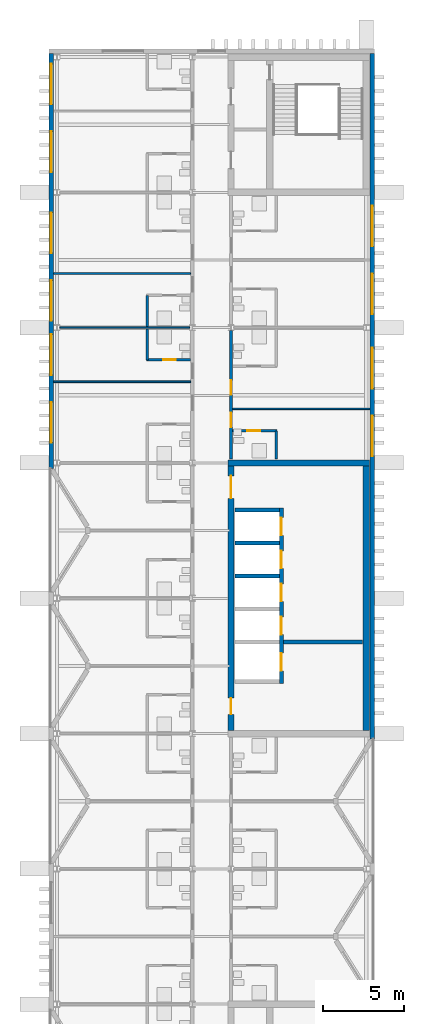
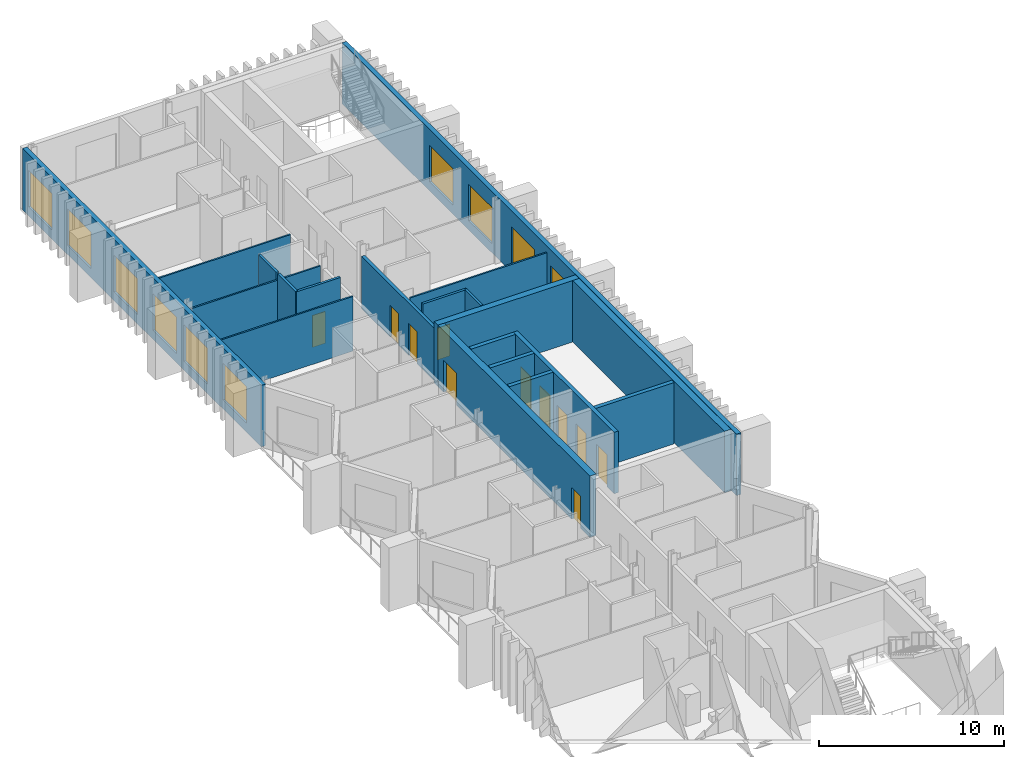
# One storey, part 7 of 11: 20 walls, 11 doors, 10 windows, 21 openings.
"""IFC4 building model written with IfcOpenShell, lengths in metres."""

import ifcopenshell
import ifcopenshell.guid

model = None  # the IFC model being written
_history = None  # IfcOwnerHistory: only IFC2X3 demands one
_inside = {}  # id of a spatial element -> (the spatial element, [elements in it])
_under = {}  # id of a project, library or spatial element -> (it, [spatial elements below it])
_declared = {}  # id of a project -> (the project, [libraries it declares])
_typed = {}  # id of a type object -> (the type object, [elements of that type])
_made_of = {}  # id of a material, layer set ... -> (it, [elements and type objects made of it])


def new_model(schema):
    """Start an empty IFC model of exactly this schema.

    Asked for "IFC4X3", IfcOpenShell would pick the latest addendum, in which some entities
    have other attributes; the version numbers below select the first issue.
    IFC2X3 requires an IfcOwnerHistory on every rooted entity: one is made here for all.
    """
    global model, _history
    if schema == "IFC4X3":
        model = ifcopenshell.file(schema_version=(4, 3, 0, 0))
    else:
        model = ifcopenshell.file(schema=schema)
    _inside.clear()
    _under.clear()
    _declared.clear()
    _typed.clear()
    _made_of.clear()
    _history = None
    if model.schema == "IFC2X3":
        org = make("IfcOrganization", Name="unknown")
        user = make(
            "IfcPersonAndOrganization",
            ThePerson=make("IfcPerson", FamilyName="unknown"),
            TheOrganization=org,
        )
        app = make(
            "IfcApplication",
            ApplicationDeveloper=org,
            Version="unknown",
            ApplicationFullName="unknown",
            ApplicationIdentifier="unknown",
        )
        _history = make(
            "IfcOwnerHistory",
            OwningUser=user,
            OwningApplication=app,
            ChangeAction="ADDED",
            CreationDate=0,
        )
    return model


def make(cls, **values):
    """One entity of the class cls with the attributes given. An attribute that is None is left unset."""
    return model.create_entity(
        cls, **{name: value for name, value in values.items() if value is not None}
    )


def rooted(cls, **values):
    """An entity with a GlobalId (a new one), such as an element, a storey or a relation."""
    return make(cls, GlobalId=ifcopenshell.guid.new(), OwnerHistory=_history, **values)


def si_unit(unit_type, name, prefix=None):
    """IfcSIUnit, for example si_unit("LENGTHUNIT", "METRE", prefix="MILLI")."""
    return make("IfcSIUnit", UnitType=unit_type, Prefix=prefix, Name=name)


def assignment(units):
    """IfcUnitAssignment: the units of a project."""
    return None if units is None else make("IfcUnitAssignment", Units=units)


def point(xyz):
    """IfcCartesianPoint."""
    return None if xyz is None else make("IfcCartesianPoint", Coordinates=xyz)


def direction(xyz):
    """IfcDirection."""
    return None if xyz is None else make("IfcDirection", DirectionRatios=xyz)


def frame(location, z_axis=None, x_axis=None):
    """IfcAxis2Placement3D, a coordinate frame: its origin and axes. An axis left out is left unset."""
    return make(
        "IfcAxis2Placement3D",
        Location=point(location),
        Axis=direction(z_axis),
        RefDirection=direction(x_axis),
    )


def frame_2d(location, x_axis=None):
    """IfcAxis2Placement2D, a coordinate frame in the plane: its origin and x axis."""
    return make(
        "IfcAxis2Placement2D", Location=point(location), RefDirection=direction(x_axis)
    )


def origin():
    """The frame at (0, 0, 0) with its axes left unset."""
    return frame((0.0, 0.0, 0.0))


def place(relative_to, where):
    """IfcLocalPlacement: puts the frame where relative to a parent placement (None: the world)."""
    return make(
        "IfcLocalPlacement", PlacementRelTo=relative_to, RelativePlacement=where
    )


def context(
    kind, dimensions, precision=None, world=None, true_north=None, identifier=None
):
    """IfcGeometricRepresentationContext, for example the 3D "Model" context."""
    return make(
        "IfcGeometricRepresentationContext",
        ContextIdentifier=identifier,
        ContextType=kind,
        CoordinateSpaceDimension=dimensions,
        Precision=precision,
        WorldCoordinateSystem=world,
        TrueNorth=true_north,
    )


def subcontext(parent, identifier, kind, view, scale=None):
    """IfcGeometricRepresentationSubContext, for example "Body" below "Model"."""
    return make(
        "IfcGeometricRepresentationSubContext",
        ContextIdentifier=identifier,
        ContextType=kind,
        ParentContext=parent,
        TargetScale=scale,
        TargetView=view,
    )


def project(units=None, contexts=None):
    """IfcProject with its units and contexts."""
    return rooted(
        "IfcProject",
        Name="project",
        RepresentationContexts=contexts,
        UnitsInContext=assignment(units),
    )


def spatial(cls, under=None, at=None, **own):
    """A site, building, storey or space (cls), placed at a placement, below another one or the project."""
    s = rooted(cls, ObjectPlacement=at, **own)
    if under is not None:
        _under.setdefault(under.id(), (under, []))[1].append(s)
    return s


def profile(cls, at=None, kind="AREA", **sizes):
    """A parametric profile (cls). Its sizes go by their IFC names, for example OverallWidth=200.0."""
    return make(cls, ProfileType=kind, Position=at, **sizes)


def rectangle(**sizes):
    """IfcRectangleProfileDef."""
    return profile("IfcRectangleProfileDef", **sizes)


def extrude(swept, where, along, depth):
    """IfcExtrudedAreaSolid: the profile swept, set in the frame where, extruded along a direction by depth."""
    return make(
        "IfcExtrudedAreaSolid",
        SweptArea=swept,
        Position=where,
        ExtrudedDirection=direction(along),
        Depth=depth,
    )


def shape(context_of_items, identifier, shape_type, items):
    """IfcShapeRepresentation: the items that make up one representation, for example the "Body"."""
    return make(
        "IfcShapeRepresentation",
        ContextOfItems=context_of_items,
        RepresentationIdentifier=identifier,
        RepresentationType=shape_type,
        Items=items,
    )


def material(Name=None, Category=None):
    """IfcMaterial."""
    return make("IfcMaterial", Name=Name, Category=Category)


def layer(
    of_material, thickness, ventilated=None, Name=None, Category=None, Priority=None
):
    """IfcMaterialLayer: one layer of a wall or slab, of a material (None: an air gap)."""
    return make(
        "IfcMaterialLayer",
        Material=of_material,
        LayerThickness=thickness,
        IsVentilated=ventilated,
        Name=Name,
        Category=Category,
        Priority=Priority,
    )


def layer_set(layers, Name=None):
    """IfcMaterialLayerSet."""
    return make("IfcMaterialLayerSet", MaterialLayers=layers, LayerSetName=Name)


def made_of(thing, what):
    """Note that an element or type object is made of a material, layer set ...; save() writes the relation."""
    if what is not None:
        _made_of.setdefault(what.id(), (what, []))[1].append(thing)
    return thing


def type_object(cls, material=None, **own):
    """A type object (cls), such as IfcWallType, which elements share."""
    return made_of(rooted(cls, **own), material)


def element(
    cls,
    number,
    at=None,
    inside=None,
    cuts=None,
    type_object=None,
    material=None,
    context=None,
    identifier="Body",
    shape_type=None,
    held_by="IfcProductDefinitionShape",
    body=None,
    shapes=None,
    **own,
):
    """One element of the class cls, such as IfcWall. Its Tag is "e" and its number.

    at: its placement. inside: the storey or other place that contains it. cuts: it is an
    opening in that element (IfcRelVoidsElement). A single representation is given by context,
    identifier, shape_type and body (its items); several are given by shapes. held_by: the class
    of the entity that holds the representations. save() writes the other relations.
    """
    e = rooted(cls, Tag="e%d" % number, ObjectPlacement=at, **own)
    if body is not None:
        shapes = [shape(context, identifier, shape_type, body)]
    if shapes is not None:
        e.Representation = make(held_by, Representations=shapes)
    if inside is not None:
        _inside.setdefault(inside.id(), (inside, []))[1].append(e)
    if cuts is not None:
        rooted(
            "IfcRelVoidsElement", RelatingBuildingElement=cuts, RelatedOpeningElement=e
        )
    if type_object is not None:
        _typed.setdefault(type_object.id(), (type_object, []))[1].append(e)
    return made_of(e, material)


def fill(opening, filler):
    """IfcRelFillsElement: the door or window that sits in an opening."""
    return rooted(
        "IfcRelFillsElement",
        RelatingOpeningElement=opening,
        RelatedBuildingElement=filler,
    )


def aggregate(whole, parts):
    """IfcRelAggregates: a whole, such as a stair, and the parts it consists of."""
    return rooted("IfcRelAggregates", RelatingObject=whole, RelatedObjects=parts)


def save(model, path):
    """Write the relations noted so far, then the file.

    IfcRelAggregates (storeys below a building ...), IfcRelContainedInSpatialStructure (elements
    in a storey), IfcRelDefinesByType, IfcRelAssociatesMaterial and IfcRelDeclares: one each for
    every whole, place, type object, material and project.
    """
    for whole, parts in _under.values():
        aggregate(whole, parts)
    for where, things in _inside.values():
        rooted(
            "IfcRelContainedInSpatialStructure",
            RelatedElements=things,
            RelatingStructure=where,
        )
    for kind, things in _typed.values():
        rooted("IfcRelDefinesByType", RelatedObjects=things, RelatingType=kind)
    for what, things in _made_of.values():
        rooted("IfcRelAssociatesMaterial", RelatedObjects=things, RelatingMaterial=what)
    for by, libraries in _declared.values():
        rooted("IfcRelDeclares", RelatingContext=by, RelatedDefinitions=libraries)
    model.write(path)


model = new_model("IFC4")

# Units and contexts
model_context = context("Model", 3, precision=1e-05, world=origin(), true_north=direction((0.0, 1.0)))
body_context = subcontext(model_context, "Body", "Model", "MODEL_VIEW")
ifc_project = project(units=[si_unit("LENGTHUNIT", "METRE"), si_unit("AREAUNIT", "SQUARE_METRE"), si_unit("VOLUMEUNIT", "CUBIC_METRE"), si_unit("PLANEANGLEUNIT", "RADIAN"), si_unit("MASSUNIT", "GRAM", prefix="KILO")], contexts=[model_context])

# Site, building, storey
site_placement = place(None, origin())
site = spatial("IfcSite", under=ifc_project, at=site_placement, CompositionType="ELEMENT")
building_placement = place(site_placement, origin())
building = spatial("IfcBuilding", under=site, at=building_placement, Name="Cresset Court Congress Hotel", CompositionType="ELEMENT")
storey_placement = place(building_placement, frame((0.0, 0.0, 48.0)))
storey = spatial("IfcBuildingStorey", under=building, at=storey_placement, Name="L11", CompositionType="ELEMENT", Elevation=48.0)

# Wall, openings, doors
ifc_material_1 = material(Name="Gypsum board partition")
ifc_layer_1 = layer(ifc_material_1, 0.199951171875)
ifc_layer_set_1 = layer_set([ifc_layer_1], Name="Corridor wall 200")
wall_type_1 = type_object("IfcWallType", Name="Corridor wall 200", PredefinedType="PARTITIONING", material=ifc_layer_set_1)
wall_1_placement = place(storey_placement, frame((168.0, 42.25, 0.0), z_axis=(0.0, 0.0, 1.0), x_axis=(0.0, 1.0, 0.0)))
wall_1 = element("IfcWall", 1, at=wall_1_placement, inside=storey, type_object=wall_type_1, Name="A.wl.L11.080", PredefinedType="PARTITIONING", context=body_context, shape_type="SweptSolid", body=[
    extrude(rectangle(XDim=7.97509765625, YDim=0.199951171875, at=frame_2d((3.987548828125, 0.0))), origin(), (0.0, 0.0, 1.0), 3.449951171875),
])
opening_1_placement = place(wall_1_placement, frame((1.97998046875, 0.0, 0.0)))
opening_1 = element("IfcOpeningElement", 2, at=opening_1_placement, cuts=wall_1, Name="Opening DA-11-42", PredefinedType="OPENING", context=body_context, shape_type="SweptSolid", body=[
    extrude(rectangle(XDim=0.89990234375, YDim=2.10009765625, at=frame_2d((0.449951171875, 1.050048828125))), frame((0.0, 0.10986328125, 0.0), z_axis=(0.0, -1.0, 0.0), x_axis=(1.0, 0.0, 0.0)), (0.0, 0.0, 1.0), 0.219970703125),
])
opening_2_placement = place(wall_1_placement, frame((3.97998046875, 0.0, 0.0)))
opening_2 = element("IfcOpeningElement", 3, at=opening_2_placement, cuts=wall_1, Name="Opening DA-11-44", PredefinedType="OPENING", context=body_context, shape_type="SweptSolid", body=[
    extrude(rectangle(XDim=0.89990234375, YDim=2.10009765625, at=frame_2d((0.449951171875, 1.050048828125))), frame((0.0, 0.10986328125, 0.0), z_axis=(0.0, -1.0, 0.0), x_axis=(1.0, 0.0, 0.0)), (0.0, 0.0, 1.0), 0.219970703125),
])
ifc_material_2 = material(Name="timber", Category="wood")
door_type_1 = type_object("IfcDoorType", Name="Guest-room entry door 900x2100 FD30S", OperationType="SINGLE_SWING_LEFT", PredefinedType="DOOR", material=ifc_material_2)
door_1_placement = place(opening_1_placement, origin())
door_1 = element("IfcDoor", 4, at=door_1_placement, inside=storey, type_object=door_type_1, Name="Door DA-11-42", OperationType="SINGLE_SWING_RIGHT", OverallHeight=2.10009765625, OverallWidth=0.89990234375, PredefinedType="DOOR", context=body_context, shape_type="SweptSolid", body=[
    extrude(rectangle(XDim=0.89990234375, YDim=2.10009765625, at=frame_2d((0.449951171875, 1.050048828125))), frame((0.0, 0.02490234375, 0.0), z_axis=(0.0, -1.0, 0.0), x_axis=(1.0, 0.0, 0.0)), (0.0, 0.0, 1.0), 0.050048828125),
])
fill(opening_1, door_1)
door_2_placement = place(opening_2_placement, origin())
door_2 = element("IfcDoor", 5, at=door_2_placement, inside=storey, type_object=door_type_1, Name="Door DA-11-44", OperationType="SINGLE_SWING_LEFT", OverallHeight=2.10009765625, OverallWidth=0.89990234375, PredefinedType="DOOR", context=body_context, shape_type="SweptSolid", body=[
    extrude(rectangle(XDim=0.89990234375, YDim=2.10009765625, at=frame_2d((0.449951171875, 1.050048828125))), frame((0.0, 0.02490234375, 0.0), z_axis=(0.0, -1.0, 0.0), x_axis=(1.0, 0.0, 0.0)), (0.0, 0.0, 1.0), 0.050048828125),
])
fill(opening_2, door_2)

# Wall
ifc_material_3 = material(Name="Gypsum board partition")
ifc_layer_2 = layer(ifc_material_3, 0.14990234375)
ifc_layer_set_2 = layer_set([ifc_layer_2], Name="En-suite wall 150")
wall_type_2 = type_object("IfcWallType", Name="En-suite wall 150", PredefinedType="PARTITIONING", material=ifc_layer_set_2)
wall_2_placement = place(storey_placement, frame((162.800048828125, 48.39990234375, 0.0), z_axis=(0.0, 0.0, 1.0), x_axis=(0.0, 1.0, 0.0)))
element("IfcWall", 6, at=wall_2_placement, inside=storey, type_object=wall_type_2, Name="A.wl.L11.023", PredefinedType="PARTITIONING", context=body_context, shape_type="SweptSolid", body=[
    extrude(rectangle(XDim=1.925048828125, YDim=0.14990234375, at=frame_2d((0.96240234375, 0.0))), origin(), (0.0, 0.0, 1.0), 4.050048828125),
])

# Wall, opening, door
wall_3_placement = place(storey_placement, frame((162.75, 48.39990234375, 0.0), z_axis=(0.0, 0.0, 1.0), x_axis=(1.0, 0.0, 0.0)))
wall_3 = element("IfcWall", 7, at=wall_3_placement, inside=storey, type_object=wall_type_2, Name="A.wl.L11.024", PredefinedType="PARTITIONING", context=body_context, shape_type="SweptSolid", body=[
    extrude(rectangle(XDim=2.75, YDim=0.14990234375, at=frame_2d((1.375, 0.0))), origin(), (0.0, 0.0, 1.0), 4.050048828125),
])
opening_3_placement = place(wall_3_placement, frame((1.030029296875, 0.0, 0.0)))
opening_3 = element("IfcOpeningElement", 8, at=opening_3_placement, cuts=wall_3, Name="Opening DA-11-23", PredefinedType="OPENING", context=body_context, shape_type="SweptSolid", body=[
    extrude(rectangle(XDim=0.800048828125, YDim=2.10009765625, at=frame_2d((0.39990234375, 1.050048828125))), frame((0.0, 0.0849609375, 0.0), z_axis=(0.0, -1.0, 0.0), x_axis=(1.0, 0.0, 0.0)), (0.0, 0.0, 1.0), 0.169921875),
])
ifc_material_4 = material(Name="timber", Category="wood")
door_type_2 = type_object("IfcDoorType", Name="En-suite door 800x2100", OperationType="SINGLE_SWING_LEFT", PredefinedType="DOOR", material=ifc_material_4)
door_3_placement = place(opening_3_placement, origin())
door_3 = element("IfcDoor", 9, at=door_3_placement, inside=storey, type_object=door_type_2, Name="Door DA-11-23", OperationType="SINGLE_SWING_LEFT", OverallHeight=2.10009765625, OverallWidth=0.800048828125, PredefinedType="DOOR", context=body_context, shape_type="SweptSolid", body=[
    extrude(rectangle(XDim=0.800048828125, YDim=2.10009765625, at=frame_2d((0.39990234375, 1.050048828125))), frame((0.0, 0.02490234375, 0.0), z_axis=(0.0, -1.0, 0.0), x_axis=(1.0, 0.0, 0.0)), (0.0, 0.0, 1.0), 0.050048828125),
])
fill(opening_3, door_3)

# Walls
wall_4_placement = place(storey_placement, frame((162.800048828125, 50.47509765625, 0.0), z_axis=(0.0, 0.0, 1.0), x_axis=(0.0, 1.0, 0.0)))
element("IfcWall", 10, at=wall_4_placement, inside=storey, type_object=wall_type_2, Name="A.wl.L11.025", PredefinedType="PARTITIONING", context=body_context, shape_type="SweptSolid", body=[
    extrude(rectangle(XDim=1.9248046875, YDim=0.14990234375, at=frame_2d((0.96240234375, 0.0))), origin(), (0.0, 0.0, 1.0), 4.050048828125),
])
wall_5_placement = place(storey_placement, frame((170.800048828125, 42.25, 0.0), z_axis=(0.0, 0.0, 1.0), x_axis=(0.0, 1.0, 0.0)))
element("IfcWall", 11, at=wall_5_placement, inside=storey, type_object=wall_type_2, Name="A.wl.L11.041", PredefinedType="PARTITIONING", context=body_context, shape_type="SweptSolid", body=[
    extrude(rectangle(XDim=1.75, YDim=0.14990234375, at=frame_2d((0.875, 0.0))), origin(), (0.0, 0.0, 1.0), 4.050048828125),
])

# Wall, opening, door
wall_6_placement = place(storey_placement, frame((170.85009765625, 44.0, 0.0), z_axis=(0.0, 0.0, 1.0), x_axis=(-1.0, 0.0, 0.0)))
wall_6 = element("IfcWall", 12, at=wall_6_placement, inside=storey, type_object=wall_type_2, Name="A.wl.L11.042", PredefinedType="PARTITIONING", context=body_context, shape_type="SweptSolid", body=[
    extrude(rectangle(XDim=2.75, YDim=0.14990234375, at=frame_2d((1.375, 0.0))), origin(), (0.0, 0.0, 1.0), 4.050048828125),
])
opening_4_placement = place(wall_6_placement, frame((1.030029296875, 0.0, 0.0)))
opening_4 = element("IfcOpeningElement", 13, at=opening_4_placement, cuts=wall_6, Name="Opening DA-11-41", PredefinedType="OPENING", context=body_context, shape_type="SweptSolid", body=[
    extrude(rectangle(XDim=0.800048828125, YDim=2.10009765625, at=frame_2d((0.39990234375, 1.050048828125))), frame((0.0, 0.0849609375, 0.0), z_axis=(0.0, -1.0, 0.0), x_axis=(1.0, 0.0, 0.0)), (0.0, 0.0, 1.0), 0.169921875),
])
door_4_placement = place(opening_4_placement, origin())
door_4 = element("IfcDoor", 14, at=door_4_placement, inside=storey, type_object=door_type_2, Name="Door DA-11-41", OperationType="SINGLE_SWING_RIGHT", OverallHeight=2.10009765625, OverallWidth=0.800048828125, PredefinedType="DOOR", context=body_context, shape_type="SweptSolid", body=[
    extrude(rectangle(XDim=0.800048828125, YDim=2.10009765625, at=frame_2d((0.39990234375, 1.050048828125))), frame((0.0, 0.02490234375, 0.0), z_axis=(0.0, -1.0, 0.0), x_axis=(1.0, 0.0, 0.0)), (0.0, 0.0, 1.0), 0.050048828125),
])
fill(opening_4, door_4)

# Wall, openings, windows
ifc_material_5 = material(Name="Precast concrete C50", Category="concrete")
ifc_layer_3 = layer(ifc_material_5, 0.280029296875)
ifc_layer_set_3 = layer_set([ifc_layer_3], Name="External wall 280")
wall_type_3 = type_object("IfcWallType", Name="External wall 280", PredefinedType="SOLIDWALL", material=ifc_layer_set_3)
wall_7_placement = place(storey_placement, frame((156.840087890625, 41.64990234375, 0.0), z_axis=(0.0, 0.0, 1.0), x_axis=(0.0, 1.0, 0.0)))
wall_7 = element("IfcWall", 15, at=wall_7_placement, inside=storey, type_object=wall_type_3, Name="A.ew.L11.W.5", PredefinedType="SOLIDWALL", context=body_context, shape_type="SweptSolid", body=[
    extrude(rectangle(XDim=25.77001953125, YDim=0.280029296875, at=frame_2d((12.885009765625, 0.0))), origin(), (0.0, 0.0, 1.0), 4.050048828125),
])
opening_5_placement = place(wall_7_placement, frame((1.610107421875, 0.0, 0.60009765625)))
opening_5 = element("IfcOpeningElement", 16, at=opening_5_placement, cuts=wall_7, Name="Opening NA-11-11", PredefinedType="OPENING", context=body_context, shape_type="SweptSolid", body=[
    extrude(rectangle(XDim=2.52001953125, YDim=2.39990234375, at=frame_2d((1.260009765625, 1.199951171875))), frame((0.0, 0.14990234375, 0.0), z_axis=(0.0, -1.0, 0.0), x_axis=(1.0, 0.0, 0.0)), (0.0, 0.0, 1.0), 0.300048828125),
])
opening_6_placement = place(wall_7_placement, frame((5.81005859375, 0.0, 0.60009765625)))
opening_6 = element("IfcOpeningElement", 17, at=opening_6_placement, cuts=wall_7, Name="Opening NA-11-12", PredefinedType="OPENING", context=body_context, shape_type="SweptSolid", body=[
    extrude(rectangle(XDim=2.52001953125, YDim=2.39990234375, at=frame_2d((1.260009765625, 1.199951171875))), frame((0.0, 0.14990234375, 0.0), z_axis=(0.0, -1.0, 0.0), x_axis=(1.0, 0.0, 0.0)), (0.0, 0.0, 1.0), 0.300048828125),
])
opening_7_placement = place(wall_7_placement, frame((9.169921875, 0.0, 0.60009765625)))
opening_7 = element("IfcOpeningElement", 18, at=opening_7_placement, cuts=wall_7, Name="Opening NA-11-13", PredefinedType="OPENING", context=body_context, shape_type="SweptSolid", body=[
    extrude(rectangle(XDim=2.52001953125, YDim=2.39990234375, at=frame_2d((1.260009765625, 1.199951171875))), frame((0.0, 0.14990234375, 0.0), z_axis=(0.0, -1.0, 0.0), x_axis=(1.0, 0.0, 0.0)), (0.0, 0.0, 1.0), 0.300048828125),
])
opening_8_placement = place(wall_7_placement, frame((13.3701171875, 0.0, 0.60009765625)))
opening_8 = element("IfcOpeningElement", 19, at=opening_8_placement, cuts=wall_7, Name="Opening NA-11-14", PredefinedType="OPENING", context=body_context, shape_type="SweptSolid", body=[
    extrude(rectangle(XDim=2.52001953125, YDim=2.39990234375, at=frame_2d((1.260009765625, 1.199951171875))), frame((0.0, 0.14990234375, 0.0), z_axis=(0.0, -1.0, 0.0), x_axis=(1.0, 0.0, 0.0)), (0.0, 0.0, 1.0), 0.300048828125),
])
opening_9_placement = place(wall_7_placement, frame((18.409912109375, 0.0, 0.60009765625)))
opening_9 = element("IfcOpeningElement", 20, at=opening_9_placement, cuts=wall_7, Name="Opening NA-11-15", PredefinedType="OPENING", context=body_context, shape_type="SweptSolid", body=[
    extrude(rectangle(XDim=2.52001953125, YDim=2.39990234375, at=frame_2d((1.260009765625, 1.199951171875))), frame((0.0, 0.14990234375, 0.0), z_axis=(0.0, -1.0, 0.0), x_axis=(1.0, 0.0, 0.0)), (0.0, 0.0, 1.0), 0.300048828125),
])
opening_10_placement = place(wall_7_placement, frame((22.610107421875, 0.0, 0.60009765625)))
opening_10 = element("IfcOpeningElement", 21, at=opening_10_placement, cuts=wall_7, Name="Opening NA-11-16", PredefinedType="OPENING", context=body_context, shape_type="SweptSolid", body=[
    extrude(rectangle(XDim=2.52001953125, YDim=2.39990234375, at=frame_2d((1.260009765625, 1.199951171875))), frame((0.0, 0.14990234375, 0.0), z_axis=(0.0, -1.0, 0.0), x_axis=(1.0, 0.0, 0.0)), (0.0, 0.0, 1.0), 0.300048828125),
])
ifc_material_6 = material(Name="Aluminium and glass", Category="aluminium")
window_type = type_object("IfcWindowType", Name="Window 2520x2400", PartitioningType="SINGLE_PANEL", PredefinedType="WINDOW", material=ifc_material_6)
window_1_placement = place(opening_5_placement, origin())
window_1 = element("IfcWindow", 22, at=window_1_placement, inside=storey, type_object=window_type, Name="Window NA-11-11", OverallHeight=2.39990234375, OverallWidth=2.52001953125, PartitioningType="SINGLE_PANEL", PredefinedType="WINDOW", context=body_context, shape_type="SweptSolid", body=[
    extrude(rectangle(XDim=2.52001953125, YDim=2.39990234375, at=frame_2d((1.260009765625, 1.199951171875))), frame((0.0, 0.030029296875, 0.0), z_axis=(0.0, -1.0, 0.0), x_axis=(1.0, 0.0, 0.0)), (0.0, 0.0, 1.0), 0.06005859375),
])
fill(opening_5, window_1)
window_2_placement = place(opening_6_placement, origin())
window_2 = element("IfcWindow", 23, at=window_2_placement, inside=storey, type_object=window_type, Name="Window NA-11-12", OverallHeight=2.39990234375, OverallWidth=2.52001953125, PartitioningType="SINGLE_PANEL", PredefinedType="WINDOW", context=body_context, shape_type="SweptSolid", body=[
    extrude(rectangle(XDim=2.52001953125, YDim=2.39990234375, at=frame_2d((1.260009765625, 1.199951171875))), frame((0.0, 0.030029296875, 0.0), z_axis=(0.0, -1.0, 0.0), x_axis=(1.0, 0.0, 0.0)), (0.0, 0.0, 1.0), 0.06005859375),
])
fill(opening_6, window_2)
window_3_placement = place(opening_7_placement, origin())
window_3 = element("IfcWindow", 24, at=window_3_placement, inside=storey, type_object=window_type, Name="Window NA-11-13", OverallHeight=2.39990234375, OverallWidth=2.52001953125, PartitioningType="SINGLE_PANEL", PredefinedType="WINDOW", context=body_context, shape_type="SweptSolid", body=[
    extrude(rectangle(XDim=2.52001953125, YDim=2.39990234375, at=frame_2d((1.260009765625, 1.199951171875))), frame((0.0, 0.030029296875, 0.0), z_axis=(0.0, -1.0, 0.0), x_axis=(1.0, 0.0, 0.0)), (0.0, 0.0, 1.0), 0.06005859375),
])
fill(opening_7, window_3)
window_4_placement = place(opening_8_placement, origin())
window_4 = element("IfcWindow", 25, at=window_4_placement, inside=storey, type_object=window_type, Name="Window NA-11-14", OverallHeight=2.39990234375, OverallWidth=2.52001953125, PartitioningType="SINGLE_PANEL", PredefinedType="WINDOW", context=body_context, shape_type="SweptSolid", body=[
    extrude(rectangle(XDim=2.52001953125, YDim=2.39990234375, at=frame_2d((1.260009765625, 1.199951171875))), frame((0.0, 0.030029296875, 0.0), z_axis=(0.0, -1.0, 0.0), x_axis=(1.0, 0.0, 0.0)), (0.0, 0.0, 1.0), 0.06005859375),
])
fill(opening_8, window_4)
window_5_placement = place(opening_9_placement, origin())
window_5 = element("IfcWindow", 26, at=window_5_placement, inside=storey, type_object=window_type, Name="Window NA-11-15", OverallHeight=2.39990234375, OverallWidth=2.52001953125, PartitioningType="SINGLE_PANEL", PredefinedType="WINDOW", context=body_context, shape_type="SweptSolid", body=[
    extrude(rectangle(XDim=2.52001953125, YDim=2.39990234375, at=frame_2d((1.260009765625, 1.199951171875))), frame((0.0, 0.030029296875, 0.0), z_axis=(0.0, -1.0, 0.0), x_axis=(1.0, 0.0, 0.0)), (0.0, 0.0, 1.0), 0.06005859375),
])
fill(opening_9, window_5)
window_6_placement = place(opening_10_placement, origin())
window_6 = element("IfcWindow", 27, at=window_6_placement, inside=storey, type_object=window_type, Name="Window NA-11-16", OverallHeight=2.39990234375, OverallWidth=2.52001953125, PartitioningType="SINGLE_PANEL", PredefinedType="WINDOW", context=body_context, shape_type="SweptSolid", body=[
    extrude(rectangle(XDim=2.52001953125, YDim=2.39990234375, at=frame_2d((1.260009765625, 1.199951171875))), frame((0.0, 0.030029296875, 0.0), z_axis=(0.0, -1.0, 0.0), x_axis=(1.0, 0.0, 0.0)), (0.0, 0.0, 1.0), 0.06005859375),
])
fill(opening_10, window_6)

wall_8_placement = place(storey_placement, frame((176.760009765625, 24.85009765625, 0.0), z_axis=(0.0, 0.0, 1.0), x_axis=(0.0, 1.0, 0.0)))
wall_8 = element("IfcWall", 28, at=wall_8_placement, inside=storey, type_object=wall_type_3, Name="A.ew.L11.E.3", PredefinedType="SOLIDWALL", context=body_context, shape_type="SweptSolid", body=[
    extrude(rectangle(XDim=42.56982421875, YDim=0.280029296875, at=frame_2d((21.284912109375, 0.0))), origin(), (0.0, 0.0, 1.0), 4.050048828125),
])
opening_11_placement = place(wall_8_placement, frame((17.570068359375, 0.0, 0.60009765625)))
opening_11 = element("IfcOpeningElement", 29, at=opening_11_placement, cuts=wall_8, Name="Opening NA-11-21", PredefinedType="OPENING", context=body_context, shape_type="SweptSolid", body=[
    extrude(rectangle(XDim=2.52001953125, YDim=2.39990234375, at=frame_2d((1.260009765625, 1.199951171875))), frame((0.0, 0.14990234375, 0.0), z_axis=(0.0, -1.0, 0.0), x_axis=(1.0, 0.0, 0.0)), (0.0, 0.0, 1.0), 0.300048828125),
])
opening_12_placement = place(wall_8_placement, frame((21.77001953125, 0.0, 0.60009765625)))
opening_12 = element("IfcOpeningElement", 30, at=opening_12_placement, cuts=wall_8, Name="Opening NA-11-22", PredefinedType="OPENING", context=body_context, shape_type="SweptSolid", body=[
    extrude(rectangle(XDim=2.52001953125, YDim=2.39990234375, at=frame_2d((1.260009765625, 1.199951171875))), frame((0.0, 0.14990234375, 0.0), z_axis=(0.0, -1.0, 0.0), x_axis=(1.0, 0.0, 0.0)), (0.0, 0.0, 1.0), 0.300048828125),
])
opening_13_placement = place(wall_8_placement, frame((26.389892578125, 0.0, 0.60009765625)))
opening_13 = element("IfcOpeningElement", 31, at=opening_13_placement, cuts=wall_8, Name="Opening NA-11-23", PredefinedType="OPENING", context=body_context, shape_type="SweptSolid", body=[
    extrude(rectangle(XDim=2.52001953125, YDim=2.39990234375, at=frame_2d((1.260009765625, 1.199951171875))), frame((0.0, 0.14990234375, 0.0), z_axis=(0.0, -1.0, 0.0), x_axis=(1.0, 0.0, 0.0)), (0.0, 0.0, 1.0), 0.300048828125),
])
opening_14_placement = place(wall_8_placement, frame((30.590087890625, 0.0, 0.60009765625)))
opening_14 = element("IfcOpeningElement", 32, at=opening_14_placement, cuts=wall_8, Name="Opening NA-11-24", PredefinedType="OPENING", context=body_context, shape_type="SweptSolid", body=[
    extrude(rectangle(XDim=2.52001953125, YDim=2.39990234375, at=frame_2d((1.260009765625, 1.199951171875))), frame((0.0, 0.14990234375, 0.0), z_axis=(0.0, -1.0, 0.0), x_axis=(1.0, 0.0, 0.0)), (0.0, 0.0, 1.0), 0.300048828125),
])
window_7_placement = place(opening_11_placement, origin())
window_7 = element("IfcWindow", 33, at=window_7_placement, inside=storey, type_object=window_type, Name="Window NA-11-21", OverallHeight=2.39990234375, OverallWidth=2.52001953125, PartitioningType="SINGLE_PANEL", PredefinedType="WINDOW", context=body_context, shape_type="SweptSolid", body=[
    extrude(rectangle(XDim=2.52001953125, YDim=2.39990234375, at=frame_2d((1.260009765625, 1.199951171875))), frame((0.0, 0.030029296875, 0.0), z_axis=(0.0, -1.0, 0.0), x_axis=(1.0, 0.0, 0.0)), (0.0, 0.0, 1.0), 0.06005859375),
])
fill(opening_11, window_7)
window_8_placement = place(opening_12_placement, origin())
window_8 = element("IfcWindow", 34, at=window_8_placement, inside=storey, type_object=window_type, Name="Window NA-11-22", OverallHeight=2.39990234375, OverallWidth=2.52001953125, PartitioningType="SINGLE_PANEL", PredefinedType="WINDOW", context=body_context, shape_type="SweptSolid", body=[
    extrude(rectangle(XDim=2.52001953125, YDim=2.39990234375, at=frame_2d((1.260009765625, 1.199951171875))), frame((0.0, 0.030029296875, 0.0), z_axis=(0.0, -1.0, 0.0), x_axis=(1.0, 0.0, 0.0)), (0.0, 0.0, 1.0), 0.06005859375),
])
fill(opening_12, window_8)
window_9_placement = place(opening_13_placement, origin())
window_9 = element("IfcWindow", 35, at=window_9_placement, inside=storey, type_object=window_type, Name="Window NA-11-23", OverallHeight=2.39990234375, OverallWidth=2.52001953125, PartitioningType="SINGLE_PANEL", PredefinedType="WINDOW", context=body_context, shape_type="SweptSolid", body=[
    extrude(rectangle(XDim=2.52001953125, YDim=2.39990234375, at=frame_2d((1.260009765625, 1.199951171875))), frame((0.0, 0.030029296875, 0.0), z_axis=(0.0, -1.0, 0.0), x_axis=(1.0, 0.0, 0.0)), (0.0, 0.0, 1.0), 0.06005859375),
])
fill(opening_13, window_9)
window_10_placement = place(opening_14_placement, origin())
window_10 = element("IfcWindow", 36, at=window_10_placement, inside=storey, type_object=window_type, Name="Window NA-11-24", OverallHeight=2.39990234375, OverallWidth=2.52001953125, PartitioningType="SINGLE_PANEL", PredefinedType="WINDOW", context=body_context, shape_type="SweptSolid", body=[
    extrude(rectangle(XDim=2.52001953125, YDim=2.39990234375, at=frame_2d((1.260009765625, 1.199951171875))), frame((0.0, 0.030029296875, 0.0), z_axis=(0.0, -1.0, 0.0), x_axis=(1.0, 0.0, 0.0)), (0.0, 0.0, 1.0), 0.06005859375),
])
fill(opening_14, window_10)

# Walls
ifc_material_7 = material(Name="Gypsum board partition")
ifc_layer_4 = layer(ifc_material_7, 0.10009765625)
ifc_layer_set_4 = layer_set([ifc_layer_4], Name="Guest-room partition 100")
wall_type_4 = type_object("IfcWallType", Name="Guest-room partition 100", PredefinedType="PARTITIONING", material=ifc_layer_set_4)
wall_9_placement = place(storey_placement, frame((157.375, 50.39990234375, 0.0), z_axis=(0.0, 0.0, 1.0), x_axis=(1.0, 0.0, 0.0)))
element("IfcWall", 37, at=wall_9_placement, inside=storey, type_object=wall_type_4, Name="A.wl.L11.054", PredefinedType="PARTITIONING", context=body_context, shape_type="SweptSolid", body=[
    extrude(rectangle(XDim=8.050048828125, YDim=0.10009765625, at=frame_2d((4.02490234375, 0.0))), origin(), (0.0, 0.0, 1.0), 3.60400390625),
])
for number, where, z_axis, x_axis, name in (
    (38, (156.97998046875, 47.0400390625, 0.0), (0.0, 0.0, 1.0), (1.0, 0.0, 0.0), "A.wl.L11.063"),
    (39, (156.97998046875, 53.760009765625, 0.0), (0.0, 0.0, 1.0), (1.0, 0.0, 0.0), "A.wl.L11.064"),
    (40, (168.10009765625, 45.360107421875, 0.0), (0.0, 0.0, 1.0), (1.0, 0.0, 0.0), "A.wl.L11.068"),
):
    element("IfcWall", number, at=place(storey_placement, frame(where, z_axis=z_axis, x_axis=x_axis)), inside=storey, type_object=wall_type_4, Name=name, PredefinedType="PARTITIONING", context=body_context, shape_type="SweptSolid", body=[
        extrude(rectangle(XDim=8.52001953125, YDim=0.10009765625, at=frame_2d((4.260009765625, 0.0))), origin(), (0.0, 0.0, 1.0), 3.60400390625),
    ])
ifc_material_8 = material(Name="Concrete C50", Category="concrete")
ifc_layer_5 = layer(ifc_material_8, 0.39990234375)
ifc_layer_set_5 = layer_set([ifc_layer_5], Name="Lift core wall 400")
wall_type_5 = type_object("IfcWallType", Name="Lift core wall 400", PredefinedType="SOLIDWALL", material=ifc_layer_set_5)
wall_10_placement = place(storey_placement, frame((167.800048828125, 42.0, 0.0), z_axis=(0.0, 0.0, 1.0), x_axis=(1.0, 0.0, 0.0)))
element("IfcWall", 41, at=wall_10_placement, inside=storey, type_object=wall_type_5, Name="A.cw.LC-A.L11.N", PredefinedType="SOLIDWALL", context=body_context, shape_type="SweptSolid", body=[
    extrude(rectangle(XDim=8.800048828125, YDim=0.39990234375, at=frame_2d((4.39990234375, 0.0))), origin(), (0.0, 0.0, 1.0), 4.050048828125),
])

# Wall, openings, doors
wall_11_placement = place(storey_placement, frame((168.0, 25.39990234375, 0.0), z_axis=(0.0, 0.0, 1.0), x_axis=(0.0, 1.0, 0.0)))
wall_11 = element("IfcWall", 42, at=wall_11_placement, inside=storey, type_object=wall_type_5, Name="A.cw.LC-A.L11.W", PredefinedType="SOLIDWALL", context=body_context, shape_type="SweptSolid", body=[
    extrude(rectangle(XDim=16.400146484375, YDim=0.39990234375, at=frame_2d((8.2001953125, 0.0))), origin(), (0.0, 0.0, 1.0), 4.050048828125),
])
opening_15_placement = place(wall_11_placement, frame((1.0, 0.0, 0.0)))
opening_15 = element("IfcOpeningElement", 43, at=opening_15_placement, cuts=wall_11, Name="Opening DA-11-60", PredefinedType="OPENING", context=body_context, shape_type="SweptSolid", body=[
    extrude(rectangle(XDim=1.0, YDim=2.10009765625, at=frame_2d((0.5, 1.050048828125))), frame((0.0, 0.2099609375, 0.0), z_axis=(0.0, -1.0, 0.0), x_axis=(1.0, 0.0, 0.0)), (0.0, 0.0, 1.0), 0.419921875),
])
opening_16_placement = place(wall_11_placement, frame((14.39990234375, 0.0, 0.0)))
opening_16 = element("IfcOpeningElement", 44, at=opening_16_placement, cuts=wall_11, Name="Opening DA-11-61", PredefinedType="OPENING", context=body_context, shape_type="SweptSolid", body=[
    extrude(rectangle(XDim=1.39990234375, YDim=2.10009765625, at=frame_2d((0.699951171875, 1.050048828125))), frame((0.0, 0.2099609375, 0.0), z_axis=(0.0, -1.0, 0.0), x_axis=(1.0, 0.0, 0.0)), (0.0, 0.0, 1.0), 0.419921875),
])
ifc_material_9 = material(Name="steel", Category="steel")
door_type_3 = type_object("IfcDoorType", Name="Lobby door 1000x2100 FD60", OperationType="SINGLE_SWING_LEFT", PredefinedType="DOOR", material=ifc_material_9)
door_5_placement = place(opening_15_placement, origin())
door_5 = element("IfcDoor", 45, at=door_5_placement, inside=storey, type_object=door_type_3, Name="Door DA-11-60", OperationType="SINGLE_SWING_RIGHT", OverallHeight=2.10009765625, OverallWidth=1.0, PredefinedType="DOOR", context=body_context, shape_type="SweptSolid", body=[
    extrude(rectangle(XDim=1.0, YDim=2.10009765625, at=frame_2d((0.5, 1.050048828125))), frame((0.0, 0.02490234375, 0.0), z_axis=(0.0, -1.0, 0.0), x_axis=(1.0, 0.0, 0.0)), (0.0, 0.0, 1.0), 0.050048828125),
])
fill(opening_15, door_5)
ifc_material_10 = material(Name="steel", Category="steel")
door_type_4 = type_object("IfcDoorType", Name="Lobby door 1400x2100 FD60", OperationType="DOUBLE_DOOR_DOUBLE_SWING", PredefinedType="DOOR", material=ifc_material_10)
door_6_placement = place(opening_16_placement, origin())
door_6 = element("IfcDoor", 46, at=door_6_placement, inside=storey, type_object=door_type_4, Name="Door DA-11-61", OperationType="DOUBLE_DOOR_DOUBLE_SWING", OverallHeight=2.10009765625, OverallWidth=1.39990234375, PredefinedType="DOOR", context=body_context, shape_type="SweptSolid", body=[
    extrude(rectangle(XDim=1.39990234375, YDim=2.10009765625, at=frame_2d((0.699951171875, 1.050048828125))), frame((0.0, 0.02490234375, 0.0), z_axis=(0.0, -1.0, 0.0), x_axis=(1.0, 0.0, 0.0)), (0.0, 0.0, 1.0), 0.050048828125),
])
fill(opening_16, door_6)

# Wall
wall_12_placement = place(storey_placement, frame((176.39990234375, 25.39990234375, 0.0), z_axis=(0.0, 0.0, 1.0), x_axis=(0.0, 1.0, 0.0)))
element("IfcWall", 47, at=wall_12_placement, inside=storey, type_object=wall_type_5, Name="A.cw.LC-A.L11.E", PredefinedType="SOLIDWALL", context=body_context, shape_type="SweptSolid", body=[
    extrude(rectangle(XDim=16.400146484375, YDim=0.39990234375, at=frame_2d((8.2001953125, 0.0))), origin(), (0.0, 0.0, 1.0), 4.050048828125),
])

# Wall, openings, doors
ifc_material_11 = material(Name="Concrete C50", Category="concrete")
ifc_layer_6 = layer(ifc_material_11, 0.25)
ifc_layer_set_6 = layer_set([ifc_layer_6], Name="Lift shaft wall 250")
wall_type_6 = type_object("IfcWallType", Name="Lift shaft wall 250", PredefinedType="SOLIDWALL", material=ifc_layer_set_6)
wall_13_placement = place(storey_placement, frame((171.125, 28.300048828125, 0.0), z_axis=(0.0, 0.0, 1.0), x_axis=(0.0, 1.0, 0.0)))
wall_13 = element("IfcWall", 48, at=wall_13_placement, inside=storey, type_object=wall_type_6, Name="A.wl.L11.086", PredefinedType="SOLIDWALL", context=body_context, shape_type="SweptSolid", body=[
    extrude(rectangle(XDim=10.89990234375, YDim=0.25, at=frame_2d((5.449951171875, 0.0))), origin(), (0.0, 0.0, 1.0), 4.050048828125),
])
opening_17_placement = place(wall_13_placement, frame((0.800048828125, 0.0, 0.0)))
opening_17 = element("IfcOpeningElement", 49, at=opening_17_placement, cuts=wall_13, Name="Opening LD-A1-11", PredefinedType="OPENING", context=body_context, shape_type="SweptSolid", body=[
    extrude(rectangle(XDim=1.10009765625, YDim=2.10009765625, at=frame_2d((0.550048828125, 1.050048828125))), frame((0.0, 0.135009765625, 0.0), z_axis=(0.0, -1.0, 0.0), x_axis=(1.0, 0.0, 0.0)), (0.0, 0.0, 1.0), 0.27001953125),
])
opening_18_placement = place(wall_13_placement, frame((3.050048828125, 0.0, 0.0)))
opening_18 = element("IfcOpeningElement", 50, at=opening_18_placement, cuts=wall_13, Name="Opening LD-A2-11", PredefinedType="OPENING", context=body_context, shape_type="SweptSolid", body=[
    extrude(rectangle(XDim=1.10009765625, YDim=2.10009765625, at=frame_2d((0.550048828125, 1.050048828125))), frame((0.0, 0.135009765625, 0.0), z_axis=(0.0, -1.0, 0.0), x_axis=(1.0, 0.0, 0.0)), (0.0, 0.0, 1.0), 0.27001953125),
])
opening_19_placement = place(wall_13_placement, frame((5.10009765625, 0.0, 0.0)))
opening_19 = element("IfcOpeningElement", 51, at=opening_19_placement, cuts=wall_13, Name="Opening LD-A3-11", PredefinedType="OPENING", context=body_context, shape_type="SweptSolid", body=[
    extrude(rectangle(XDim=1.10009765625, YDim=2.10009765625, at=frame_2d((0.550048828125, 1.050048828125))), frame((0.0, 0.135009765625, 0.0), z_axis=(0.0, -1.0, 0.0), x_axis=(1.0, 0.0, 0.0)), (0.0, 0.0, 1.0), 0.27001953125),
])
opening_20_placement = place(wall_13_placement, frame((7.14990234375, 0.0, 0.0)))
opening_20 = element("IfcOpeningElement", 52, at=opening_20_placement, cuts=wall_13, Name="Opening LD-A4-11", PredefinedType="OPENING", context=body_context, shape_type="SweptSolid", body=[
    extrude(rectangle(XDim=1.10009765625, YDim=2.10009765625, at=frame_2d((0.550048828125, 1.050048828125))), frame((0.0, 0.135009765625, 0.0), z_axis=(0.0, -1.0, 0.0), x_axis=(1.0, 0.0, 0.0)), (0.0, 0.0, 1.0), 0.27001953125),
])
opening_21_placement = place(wall_13_placement, frame((9.199951171875, 0.0, 0.0)))
opening_21 = element("IfcOpeningElement", 53, at=opening_21_placement, cuts=wall_13, Name="Opening LD-A5-11", PredefinedType="OPENING", context=body_context, shape_type="SweptSolid", body=[
    extrude(rectangle(XDim=1.10009765625, YDim=2.10009765625, at=frame_2d((0.550048828125, 1.050048828125))), frame((0.0, 0.135009765625, 0.0), z_axis=(0.0, -1.0, 0.0), x_axis=(1.0, 0.0, 0.0)), (0.0, 0.0, 1.0), 0.27001953125),
])
ifc_material_12 = material(Name="stainless steel", Category="steel")
door_type_5 = type_object("IfcDoorType", Name="Lift landing door 1100x2100 E 60", OperationType="SLIDING_TO_LEFT", PredefinedType="DOOR", material=ifc_material_12)
door_7_placement = place(opening_17_placement, origin())
door_7 = element("IfcDoor", 54, at=door_7_placement, inside=storey, type_object=door_type_5, Name="Lift landing door LD-A1-11", OperationType="SLIDING_TO_LEFT", OverallHeight=2.10009765625, OverallWidth=1.10009765625, PredefinedType="DOOR", context=body_context, shape_type="SweptSolid", body=[
    extrude(rectangle(XDim=1.10009765625, YDim=2.10009765625, at=frame_2d((0.550048828125, 1.050048828125))), frame((0.0, 0.02490234375, 0.0), z_axis=(0.0, -1.0, 0.0), x_axis=(1.0, 0.0, 0.0)), (0.0, 0.0, 1.0), 0.050048828125),
])
fill(opening_17, door_7)
door_8_placement = place(opening_18_placement, origin())
door_8 = element("IfcDoor", 55, at=door_8_placement, inside=storey, type_object=door_type_5, Name="Lift landing door LD-A2-11", OperationType="SLIDING_TO_LEFT", OverallHeight=2.10009765625, OverallWidth=1.10009765625, PredefinedType="DOOR", context=body_context, shape_type="SweptSolid", body=[
    extrude(rectangle(XDim=1.10009765625, YDim=2.10009765625, at=frame_2d((0.550048828125, 1.050048828125))), frame((0.0, 0.02490234375, 0.0), z_axis=(0.0, -1.0, 0.0), x_axis=(1.0, 0.0, 0.0)), (0.0, 0.0, 1.0), 0.050048828125),
])
fill(opening_18, door_8)
door_9_placement = place(opening_19_placement, origin())
door_9 = element("IfcDoor", 56, at=door_9_placement, inside=storey, type_object=door_type_5, Name="Lift landing door LD-A3-11", OperationType="SLIDING_TO_LEFT", OverallHeight=2.10009765625, OverallWidth=1.10009765625, PredefinedType="DOOR", context=body_context, shape_type="SweptSolid", body=[
    extrude(rectangle(XDim=1.10009765625, YDim=2.10009765625, at=frame_2d((0.550048828125, 1.050048828125))), frame((0.0, 0.02490234375, 0.0), z_axis=(0.0, -1.0, 0.0), x_axis=(1.0, 0.0, 0.0)), (0.0, 0.0, 1.0), 0.050048828125),
])
fill(opening_19, door_9)
door_10_placement = place(opening_20_placement, origin())
door_10 = element("IfcDoor", 57, at=door_10_placement, inside=storey, type_object=door_type_5, Name="Lift landing door LD-A4-11", OperationType="SLIDING_TO_LEFT", OverallHeight=2.10009765625, OverallWidth=1.10009765625, PredefinedType="DOOR", context=body_context, shape_type="SweptSolid", body=[
    extrude(rectangle(XDim=1.10009765625, YDim=2.10009765625, at=frame_2d((0.550048828125, 1.050048828125))), frame((0.0, 0.02490234375, 0.0), z_axis=(0.0, -1.0, 0.0), x_axis=(1.0, 0.0, 0.0)), (0.0, 0.0, 1.0), 0.050048828125),
])
fill(opening_20, door_10)
door_11_placement = place(opening_21_placement, origin())
door_11 = element("IfcDoor", 58, at=door_11_placement, inside=storey, type_object=door_type_5, Name="Lift landing door LD-A5-11", OperationType="SLIDING_TO_LEFT", OverallHeight=2.10009765625, OverallWidth=1.10009765625, PredefinedType="DOOR", context=body_context, shape_type="SweptSolid", body=[
    extrude(rectangle(XDim=1.10009765625, YDim=2.10009765625, at=frame_2d((0.550048828125, 1.050048828125))), frame((0.0, 0.02490234375, 0.0), z_axis=(0.0, -1.0, 0.0), x_axis=(1.0, 0.0, 0.0)), (0.0, 0.0, 1.0), 0.050048828125),
])
fill(opening_21, door_11)

# Walls
for number, where, z_axis, x_axis, name in (
    (59, (168.25, 34.97509765625, 0.0), (0.0, 0.0, 1.0), (1.0, 0.0, 0.0), "A.wl.L11.090"),
    (60, (168.25, 37.02490234375, 0.0), (0.0, 0.0, 1.0), (1.0, 0.0, 0.0), "A.wl.L11.091"),
    (61, (168.25, 39.074951171875, 0.0), (0.0, 0.0, 1.0), (1.0, 0.0, 0.0), "A.wl.L11.092"),
):
    element("IfcWall", number, at=place(storey_placement, frame(where, z_axis=z_axis, x_axis=x_axis)), inside=storey, type_object=wall_type_6, Name=name, PredefinedType="SOLIDWALL", context=body_context, shape_type="SweptSolid", body=[
        extrude(rectangle(XDim=2.75, YDim=0.25, at=frame_2d((1.375, 0.0))), origin(), (0.0, 0.0, 1.0), 4.050048828125),
    ])
wall_14_placement = place(storey_placement, frame((171.25, 30.875, 0.0), z_axis=(0.0, 0.0, 1.0), x_axis=(1.0, 0.0, 0.0)))
element("IfcWall", 62, at=wall_14_placement, inside=storey, type_object=wall_type_6, Name="A.wl.L11.093", PredefinedType="SOLIDWALL", context=body_context, shape_type="SweptSolid", body=[
    extrude(rectangle(XDim=4.89990234375, YDim=0.25, at=frame_2d((2.449951171875, 0.0))), origin(), (0.0, 0.0, 1.0), 4.050048828125),
])

save(model, "model.ifc")
